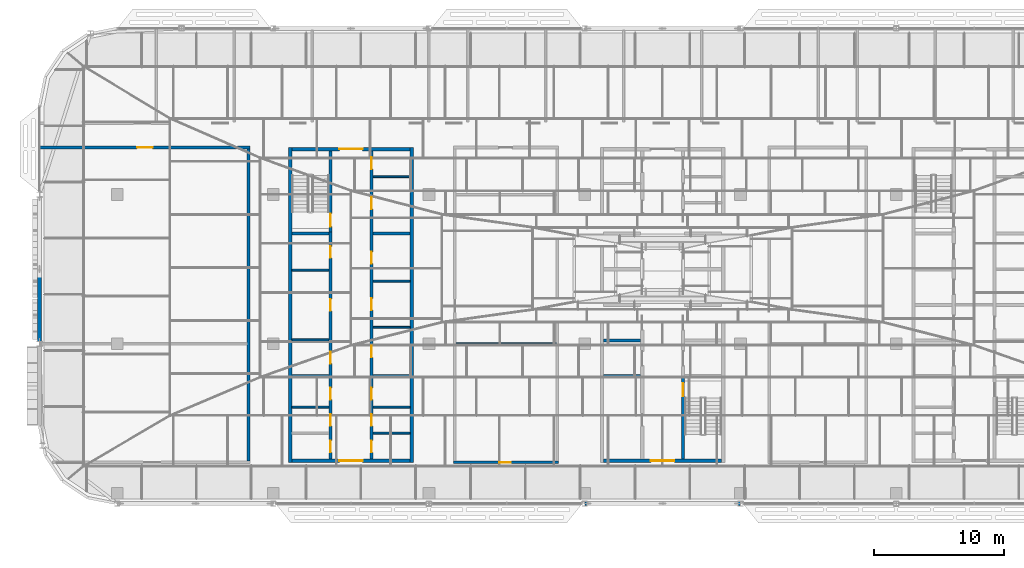
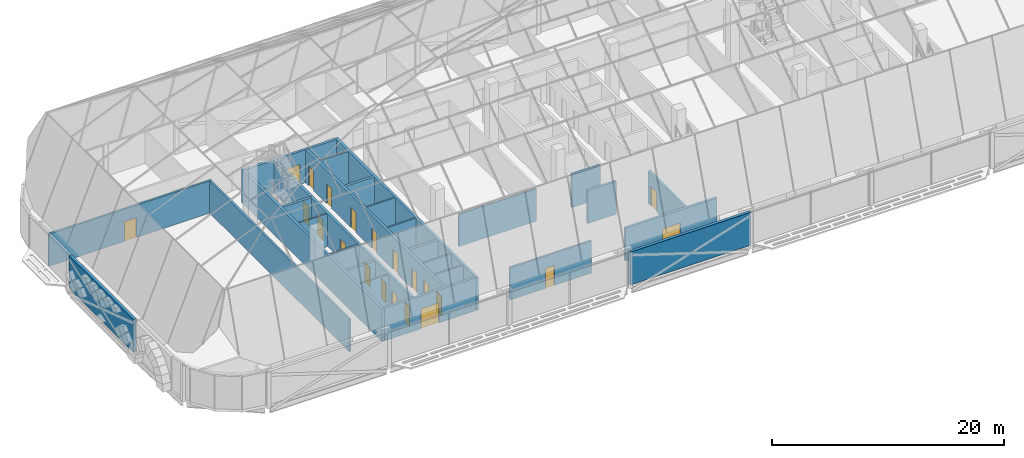
# One storey, part 24 of 39: 29 walls, 21 doors, 21 openings.
"""IFC4 building model written with IfcOpenShell, lengths in metres."""

import ifcopenshell
import ifcopenshell.guid

model = None  # the IFC model being written
_history = None  # IfcOwnerHistory: only IFC2X3 demands one
_inside = {}  # id of a spatial element -> (the spatial element, [elements in it])
_under = {}  # id of a project, library or spatial element -> (it, [spatial elements below it])
_declared = {}  # id of a project -> (the project, [libraries it declares])
_typed = {}  # id of a type object -> (the type object, [elements of that type])
_made_of = {}  # id of a material, layer set ... -> (it, [elements and type objects made of it])


def new_model(schema):
    """Start an empty IFC model of exactly this schema.

    Asked for "IFC4X3", IfcOpenShell would pick the latest addendum, in which some entities
    have other attributes; the version numbers below select the first issue.
    IFC2X3 requires an IfcOwnerHistory on every rooted entity: one is made here for all.
    """
    global model, _history
    if schema == "IFC4X3":
        model = ifcopenshell.file(schema_version=(4, 3, 0, 0))
    else:
        model = ifcopenshell.file(schema=schema)
    _inside.clear()
    _under.clear()
    _declared.clear()
    _typed.clear()
    _made_of.clear()
    _history = None
    if model.schema == "IFC2X3":
        org = make("IfcOrganization", Name="unknown")
        user = make(
            "IfcPersonAndOrganization",
            ThePerson=make("IfcPerson", FamilyName="unknown"),
            TheOrganization=org,
        )
        app = make(
            "IfcApplication",
            ApplicationDeveloper=org,
            Version="unknown",
            ApplicationFullName="unknown",
            ApplicationIdentifier="unknown",
        )
        _history = make(
            "IfcOwnerHistory",
            OwningUser=user,
            OwningApplication=app,
            ChangeAction="ADDED",
            CreationDate=0,
        )
    return model


def make(cls, **values):
    """One entity of the class cls with the attributes given. An attribute that is None is left unset."""
    return model.create_entity(
        cls, **{name: value for name, value in values.items() if value is not None}
    )


def rooted(cls, **values):
    """An entity with a GlobalId (a new one), such as an element, a storey or a relation."""
    return make(cls, GlobalId=ifcopenshell.guid.new(), OwnerHistory=_history, **values)


def si_unit(unit_type, name, prefix=None):
    """IfcSIUnit, for example si_unit("LENGTHUNIT", "METRE", prefix="MILLI")."""
    return make("IfcSIUnit", UnitType=unit_type, Prefix=prefix, Name=name)


def assignment(units):
    """IfcUnitAssignment: the units of a project."""
    return None if units is None else make("IfcUnitAssignment", Units=units)


def point(xyz):
    """IfcCartesianPoint."""
    return None if xyz is None else make("IfcCartesianPoint", Coordinates=xyz)


def direction(xyz):
    """IfcDirection."""
    return None if xyz is None else make("IfcDirection", DirectionRatios=xyz)


def frame(location, z_axis=None, x_axis=None):
    """IfcAxis2Placement3D, a coordinate frame: its origin and axes. An axis left out is left unset."""
    return make(
        "IfcAxis2Placement3D",
        Location=point(location),
        Axis=direction(z_axis),
        RefDirection=direction(x_axis),
    )


def frame_2d(location, x_axis=None):
    """IfcAxis2Placement2D, a coordinate frame in the plane: its origin and x axis."""
    return make(
        "IfcAxis2Placement2D", Location=point(location), RefDirection=direction(x_axis)
    )


def origin():
    """The frame at (0, 0, 0) with its axes left unset."""
    return frame((0.0, 0.0, 0.0))


def place(relative_to, where):
    """IfcLocalPlacement: puts the frame where relative to a parent placement (None: the world)."""
    return make(
        "IfcLocalPlacement", PlacementRelTo=relative_to, RelativePlacement=where
    )


def context(
    kind, dimensions, precision=None, world=None, true_north=None, identifier=None
):
    """IfcGeometricRepresentationContext, for example the 3D "Model" context."""
    return make(
        "IfcGeometricRepresentationContext",
        ContextIdentifier=identifier,
        ContextType=kind,
        CoordinateSpaceDimension=dimensions,
        Precision=precision,
        WorldCoordinateSystem=world,
        TrueNorth=true_north,
    )


def subcontext(parent, identifier, kind, view, scale=None):
    """IfcGeometricRepresentationSubContext, for example "Body" below "Model"."""
    return make(
        "IfcGeometricRepresentationSubContext",
        ContextIdentifier=identifier,
        ContextType=kind,
        ParentContext=parent,
        TargetScale=scale,
        TargetView=view,
    )


def project(units=None, contexts=None):
    """IfcProject with its units and contexts."""
    return rooted(
        "IfcProject",
        Name="project",
        RepresentationContexts=contexts,
        UnitsInContext=assignment(units),
    )


def spatial(cls, under=None, at=None, **own):
    """A site, building, storey or space (cls), placed at a placement, below another one or the project."""
    s = rooted(cls, ObjectPlacement=at, **own)
    if under is not None:
        _under.setdefault(under.id(), (under, []))[1].append(s)
    return s


def profile(cls, at=None, kind="AREA", **sizes):
    """A parametric profile (cls). Its sizes go by their IFC names, for example OverallWidth=200.0."""
    return make(cls, ProfileType=kind, Position=at, **sizes)


def rectangle(**sizes):
    """IfcRectangleProfileDef."""
    return profile("IfcRectangleProfileDef", **sizes)


def extrude(swept, where, along, depth):
    """IfcExtrudedAreaSolid: the profile swept, set in the frame where, extruded along a direction by depth."""
    return make(
        "IfcExtrudedAreaSolid",
        SweptArea=swept,
        Position=where,
        ExtrudedDirection=direction(along),
        Depth=depth,
    )


def shape(context_of_items, identifier, shape_type, items):
    """IfcShapeRepresentation: the items that make up one representation, for example the "Body"."""
    return make(
        "IfcShapeRepresentation",
        ContextOfItems=context_of_items,
        RepresentationIdentifier=identifier,
        RepresentationType=shape_type,
        Items=items,
    )


def material(Name=None, Category=None):
    """IfcMaterial."""
    return make("IfcMaterial", Name=Name, Category=Category)


def layer(
    of_material, thickness, ventilated=None, Name=None, Category=None, Priority=None
):
    """IfcMaterialLayer: one layer of a wall or slab, of a material (None: an air gap)."""
    return make(
        "IfcMaterialLayer",
        Material=of_material,
        LayerThickness=thickness,
        IsVentilated=ventilated,
        Name=Name,
        Category=Category,
        Priority=Priority,
    )


def layer_set(layers, Name=None):
    """IfcMaterialLayerSet."""
    return make("IfcMaterialLayerSet", MaterialLayers=layers, LayerSetName=Name)


def made_of(thing, what):
    """Note that an element or type object is made of a material, layer set ...; save() writes the relation."""
    if what is not None:
        _made_of.setdefault(what.id(), (what, []))[1].append(thing)
    return thing


def type_object(cls, material=None, **own):
    """A type object (cls), such as IfcWallType, which elements share."""
    return made_of(rooted(cls, **own), material)


def element(
    cls,
    number,
    at=None,
    inside=None,
    cuts=None,
    type_object=None,
    material=None,
    context=None,
    identifier="Body",
    shape_type=None,
    held_by="IfcProductDefinitionShape",
    body=None,
    shapes=None,
    **own,
):
    """One element of the class cls, such as IfcWall. Its Tag is "e" and its number.

    at: its placement. inside: the storey or other place that contains it. cuts: it is an
    opening in that element (IfcRelVoidsElement). A single representation is given by context,
    identifier, shape_type and body (its items); several are given by shapes. held_by: the class
    of the entity that holds the representations. save() writes the other relations.
    """
    e = rooted(cls, Tag="e%d" % number, ObjectPlacement=at, **own)
    if body is not None:
        shapes = [shape(context, identifier, shape_type, body)]
    if shapes is not None:
        e.Representation = make(held_by, Representations=shapes)
    if inside is not None:
        _inside.setdefault(inside.id(), (inside, []))[1].append(e)
    if cuts is not None:
        rooted(
            "IfcRelVoidsElement", RelatingBuildingElement=cuts, RelatedOpeningElement=e
        )
    if type_object is not None:
        _typed.setdefault(type_object.id(), (type_object, []))[1].append(e)
    return made_of(e, material)


def fill(opening, filler):
    """IfcRelFillsElement: the door or window that sits in an opening."""
    return rooted(
        "IfcRelFillsElement",
        RelatingOpeningElement=opening,
        RelatedBuildingElement=filler,
    )


def aggregate(whole, parts):
    """IfcRelAggregates: a whole, such as a stair, and the parts it consists of."""
    return rooted("IfcRelAggregates", RelatingObject=whole, RelatedObjects=parts)


def save(model, path):
    """Write the relations noted so far, then the file.

    IfcRelAggregates (storeys below a building ...), IfcRelContainedInSpatialStructure (elements
    in a storey), IfcRelDefinesByType, IfcRelAssociatesMaterial and IfcRelDeclares: one each for
    every whole, place, type object, material and project.
    """
    for whole, parts in _under.values():
        aggregate(whole, parts)
    for where, things in _inside.values():
        rooted(
            "IfcRelContainedInSpatialStructure",
            RelatedElements=things,
            RelatingStructure=where,
        )
    for kind, things in _typed.values():
        rooted("IfcRelDefinesByType", RelatedObjects=things, RelatingType=kind)
    for what, things in _made_of.values():
        rooted("IfcRelAssociatesMaterial", RelatedObjects=things, RelatingMaterial=what)
    for by, libraries in _declared.values():
        rooted("IfcRelDeclares", RelatingContext=by, RelatedDefinitions=libraries)
    model.write(path)


model = new_model("IFC4")

# Units and contexts
model_context = context("Model", 3, precision=1e-05, world=origin(), true_north=direction((0.0, 1.0)))
body_context = subcontext(model_context, "Body", "Model", "MODEL_VIEW")
ifc_project = project(units=[si_unit("LENGTHUNIT", "METRE"), si_unit("AREAUNIT", "SQUARE_METRE"), si_unit("VOLUMEUNIT", "CUBIC_METRE"), si_unit("PLANEANGLEUNIT", "RADIAN"), si_unit("MASSUNIT", "GRAM", prefix="KILO")], contexts=[model_context])

# Site, building, storey
site_placement = place(None, origin())
site = spatial("IfcSite", under=ifc_project, at=site_placement, CompositionType="ELEMENT")
building_placement = place(site_placement, origin())
building = spatial("IfcBuilding", under=site, at=building_placement, Name="Mahtab Terrace Research Tower", CompositionType="ELEMENT")
storey_placement = place(building_placement, frame((0.0, 0.0, 282.300048828125)))
storey = spatial("IfcBuildingStorey", under=building, at=storey_placement, Name="L69", CompositionType="ELEMENT", Elevation=282.300048828125)

# Walls
ifc_material_1 = material(Name="Gypsum board partition")
ifc_layer_1 = layer(ifc_material_1, 0.14990234375)
ifc_layer_set_1 = layer_set([ifc_layer_1], Name="Core partition 150")
wall_type_1 = type_object("IfcWallType", Name="Core partition 150", PredefinedType="PARTITIONING", material=ifc_layer_set_1)
for number, where, z_axis, x_axis, name in (
    (1, (-28.550048828125, 0.3125, 0.0), (0.0, 0.0, 1.0), (1.0, 0.0, 0.0), "Core wall A pWL-269"),
    (2, (-28.550048828125, 5.6875, 0.0), (0.0, 0.0, 1.0), (1.0, 0.0, 0.0), "Core wall A pWL269"),
    (3, (-22.300048828125, 1.280029296875, 0.0), (0.0, 0.0, 1.0), (1.0, 0.0, 0.0), "Core wall A pEL-172"),
    (4, (-22.300048828125, 4.827392578125, 0.0), (0.0, 0.0, 1.0), (1.0, 0.0, 0.0), "Core wall A pEL183"),
    (5, (-28.550048828125, -4.875, 0.0), (0.0, 0.0, 1.0), (1.0, 0.0, 0.0), "Core wall A pWS-788"),
    (6, (-22.300048828125, -6.875, 0.0), (0.0, 0.0, 1.0), (1.0, 0.0, 0.0), "Core wall A pES-988"),
    (7, (-22.300048828125, -4.875, 0.0), (0.0, 0.0, 1.0), (1.0, 0.0, 0.0), "Core wall A pES-788"),
    (8, (-22.300048828125, 12.875, 0.0), (0.0, 0.0, 1.0), (1.0, 0.0, 0.0), "Core wall A pEN988"),
):
    element("IfcWall", number, at=place(storey_placement, frame(where, z_axis=z_axis, x_axis=x_axis)), inside=storey, type_object=wall_type_1, Name=name, PredefinedType="PARTITIONING", context=body_context, shape_type="SweptSolid", body=[
        extrude(rectangle(XDim=2.85009765625, YDim=0.14990234375, at=frame_2d((1.425048828125, 0.0))), origin(), (0.0, 0.0, 1.0), 3.4599609375),
    ])
ifc_material_2 = material(Name="Concrete C70/85", Category="concrete")
ifc_layer_2 = layer(ifc_material_2, 0.25)
ifc_layer_set_2 = layer_set([ifc_layer_2], Name="Core wall 250")
wall_type_2 = type_object("IfcWallType", Name="Core wall 250", PredefinedType="SOLIDWALL", material=ifc_layer_set_2)
for number, where, z_axis, x_axis, name in (
    (9, (-28.675048828125, 15.125, 0.0), (0.0, 0.0, 1.0), (0.0, -1.0, 0.0), "Core wall A outerW"),
    (10, (-19.324951171875, -9.125, 0.0), (0.0, 0.0, 1.0), (0.0, 1.0, 0.0), "Core wall A outerE"),
):
    element("IfcWall", number, at=place(storey_placement, frame(where, z_axis=z_axis, x_axis=x_axis)), inside=storey, type_object=wall_type_2, Name=name, PredefinedType="SOLIDWALL", context=body_context, shape_type="SweptSolid", body=[
        extrude(rectangle(XDim=24.25, YDim=0.25, at=frame_2d((12.125, 0.0))), origin(), (0.0, 0.0, 1.0), 3.4599609375),
    ])

# Wall, opening, door
wall_1_placement = place(storey_placement, frame((-19.449951171875, -9.0, 0.0), z_axis=(0.0, 0.0, 1.0), x_axis=(-1.0, 0.0, 0.0)))
wall_1 = element("IfcWall", 11, at=wall_1_placement, inside=storey, type_object=wall_type_2, Name="Core wall A endS", PredefinedType="SOLIDWALL", context=body_context, shape_type="SweptSolid", body=[
    extrude(rectangle(XDim=9.10009765625, YDim=0.25, at=frame_2d((4.550048828125, 0.0))), origin(), (0.0, 0.0, 1.0), 3.4599609375),
])
opening_1_placement = place(wall_1_placement, frame((3.64990234375, 0.0, 0.0)))
opening_1 = element("IfcOpeningElement", 12, at=opening_1_placement, cuts=wall_1, Name="Opening A-S1", PredefinedType="OPENING", context=body_context, shape_type="SweptSolid", body=[
    extrude(rectangle(XDim=1.800048828125, YDim=2.10009765625, at=frame_2d((0.89990234375, 1.050048828125))), frame((0.0, 0.135009765625, 0.0), z_axis=(0.0, -1.0, 0.0), x_axis=(1.0, 0.0, 0.0)), (0.0, 0.0, 1.0), 0.27001953125),
])
ifc_material_3 = material(Name="Steel fire door", Category="steel")
door_type_1 = type_object("IfcDoorType", Name="Lobby double door 1800x2100 1 HR", OperationType="DOUBLE_DOOR_SINGLE_SWING", PredefinedType="DOOR", material=ifc_material_3)
door_1_placement = place(opening_1_placement, origin())
door_1 = element("IfcDoor", 13, at=door_1_placement, inside=storey, type_object=door_type_1, Name="Core entrance door A S", OperationType="DOUBLE_DOOR_SINGLE_SWING", OverallHeight=2.10009765625, OverallWidth=1.800048828125, PredefinedType="DOOR", context=body_context, shape_type="SweptSolid", body=[
    extrude(rectangle(XDim=1.800048828125, YDim=2.10009765625, at=frame_2d((0.89990234375, 1.050048828125))), frame((0.0, 0.02490234375, 0.0), z_axis=(0.0, -1.0, 0.0), x_axis=(1.0, 0.0, 0.0)), (0.0, 0.0, 1.0), 0.050048828125),
])
fill(opening_1, door_1)

wall_2_placement = place(storey_placement, frame((-28.550048828125, 15.0, 0.0), z_axis=(0.0, 0.0, 1.0), x_axis=(1.0, 0.0, 0.0)))
wall_2 = element("IfcWall", 14, at=wall_2_placement, inside=storey, type_object=wall_type_2, Name="Core wall A endN", PredefinedType="SOLIDWALL", context=body_context, shape_type="SweptSolid", body=[
    extrude(rectangle(XDim=9.10009765625, YDim=0.25, at=frame_2d((4.550048828125, 0.0))), origin(), (0.0, 0.0, 1.0), 3.4599609375),
])
opening_2_placement = place(wall_2_placement, frame((3.64990234375, 0.0, 0.0)))
opening_2 = element("IfcOpeningElement", 15, at=opening_2_placement, cuts=wall_2, Name="Opening A-N1", PredefinedType="OPENING", context=body_context, shape_type="SweptSolid", body=[
    extrude(rectangle(XDim=1.800048828125, YDim=2.10009765625, at=frame_2d((0.89990234375, 1.050048828125))), frame((0.0, 0.135009765625, 0.0), z_axis=(0.0, -1.0, 0.0), x_axis=(1.0, 0.0, 0.0)), (0.0, 0.0, 1.0), 0.27001953125),
])
door_2_placement = place(opening_2_placement, origin())
door_2 = element("IfcDoor", 16, at=door_2_placement, inside=storey, type_object=door_type_1, Name="Core entrance door A N", OperationType="DOUBLE_DOOR_SINGLE_SWING", OverallHeight=2.10009765625, OverallWidth=1.800048828125, PredefinedType="DOOR", context=body_context, shape_type="SweptSolid", body=[
    extrude(rectangle(XDim=1.800048828125, YDim=2.10009765625, at=frame_2d((0.89990234375, 1.050048828125))), frame((0.0, 0.02490234375, 0.0), z_axis=(0.0, -1.0, 0.0), x_axis=(1.0, 0.0, 0.0)), (0.0, 0.0, 1.0), 0.050048828125),
])
fill(opening_2, door_2)

# Wall, openings, doors
wall_3_placement = place(storey_placement, frame((-25.574951171875, -8.875, 0.0), z_axis=(0.0, 0.0, 1.0), x_axis=(0.0, 1.0, 0.0)))
wall_3 = element("IfcWall", 17, at=wall_3_placement, inside=storey, type_object=wall_type_2, Name="Core wall A innerWSL", PredefinedType="SOLIDWALL", context=body_context, shape_type="SweptSolid", body=[
    extrude(rectangle(XDim=17.5, YDim=0.25, at=frame_2d((8.75, 0.0))), origin(), (0.0, 0.0, 1.0), 3.4599609375),
])
opening_3_placement = place(wall_3_placement, frame((7.356201171875, 0.0, 0.0)))
opening_3 = element("IfcOpeningElement", 18, at=opening_3_placement, cuts=wall_3, Name="Opening A-R1", PredefinedType="OPENING", context=body_context, shape_type="SweptSolid", body=[
    extrude(rectangle(XDim=0.89990234375, YDim=2.10009765625, at=frame_2d((0.449951171875, 1.050048828125))), frame((0.0, 0.135009765625, 0.0), z_axis=(0.0, -1.0, 0.0), x_axis=(1.0, 0.0, 0.0)), (0.0, 0.0, 1.0), 0.27001953125),
])
opening_4_placement = place(wall_3_placement, frame((11.425048828125, 0.0, 0.0)))
opening_4 = element("IfcOpeningElement", 19, at=opening_4_placement, cuts=wall_3, Name="Opening A-R2", PredefinedType="OPENING", context=body_context, shape_type="SweptSolid", body=[
    extrude(rectangle(XDim=0.89990234375, YDim=2.10009765625, at=frame_2d((0.449951171875, 1.050048828125))), frame((0.0, 0.135009765625, 0.0), z_axis=(0.0, -1.0, 0.0), x_axis=(1.0, 0.0, 0.0)), (0.0, 0.0, 1.0), 0.27001953125),
])
opening_5_placement = place(wall_3_placement, frame((15.493896484375, 0.0, 0.0)))
opening_5 = element("IfcOpeningElement", 20, at=opening_5_placement, cuts=wall_3, Name="Opening A-R3", PredefinedType="OPENING", context=body_context, shape_type="SweptSolid", body=[
    extrude(rectangle(XDim=0.89990234375, YDim=2.10009765625, at=frame_2d((0.449951171875, 1.050048828125))), frame((0.0, 0.135009765625, 0.0), z_axis=(0.0, -1.0, 0.0), x_axis=(1.0, 0.0, 0.0)), (0.0, 0.0, 1.0), 0.27001953125),
])
opening_6_placement = place(wall_3_placement, frame((0.512451171875, 0.0, 0.0)))
opening_6 = element("IfcOpeningElement", 21, at=opening_6_placement, cuts=wall_3, Name="Opening A-R7", PredefinedType="OPENING", context=body_context, shape_type="SweptSolid", body=[
    extrude(rectangle(XDim=0.89990234375, YDim=2.10009765625, at=frame_2d((0.449951171875, 1.050048828125))), frame((0.0, 0.135009765625, 0.0), z_axis=(0.0, -1.0, 0.0), x_axis=(1.0, 0.0, 0.0)), (0.0, 0.0, 1.0), 0.27001953125),
])
opening_7_placement = place(wall_3_placement, frame((2.550048828125, 0.0, 0.0)))
opening_7 = element("IfcOpeningElement", 22, at=opening_7_placement, cuts=wall_3, Name="Opening A-R8", PredefinedType="OPENING", context=body_context, shape_type="SweptSolid", body=[
    extrude(rectangle(XDim=0.89990234375, YDim=2.10009765625, at=frame_2d((0.449951171875, 1.050048828125))), frame((0.0, 0.135009765625, 0.0), z_axis=(0.0, -1.0, 0.0), x_axis=(1.0, 0.0, 0.0)), (0.0, 0.0, 1.0), 0.27001953125),
])
opening_8_placement = place(wall_3_placement, frame((4.58740234375, 0.0, 0.0)))
opening_8 = element("IfcOpeningElement", 23, at=opening_8_placement, cuts=wall_3, Name="Opening A-R9", PredefinedType="OPENING", context=body_context, shape_type="SweptSolid", body=[
    extrude(rectangle(XDim=0.89990234375, YDim=2.10009765625, at=frame_2d((0.449951171875, 1.050048828125))), frame((0.0, 0.135009765625, 0.0), z_axis=(0.0, -1.0, 0.0), x_axis=(1.0, 0.0, 0.0)), (0.0, 0.0, 1.0), 0.27001953125),
])
door_type_2 = type_object("IfcDoorType", Name="Room door 900x2100 1 HR", OperationType="NOTDEFINED", PredefinedType="DOOR", material=ifc_material_3)
door_3_placement = place(opening_3_placement, origin())
door_3 = element("IfcDoor", 24, at=door_3_placement, inside=storey, type_object=door_type_2, Name="Comms room door", OperationType="SINGLE_SWING_LEFT", OverallHeight=2.10009765625, OverallWidth=0.89990234375, PredefinedType="DOOR", context=body_context, shape_type="SweptSolid", body=[
    extrude(rectangle(XDim=0.89990234375, YDim=2.10009765625, at=frame_2d((0.449951171875, 1.050048828125))), frame((0.0, 0.02490234375, 0.0), z_axis=(0.0, -1.0, 0.0), x_axis=(1.0, 0.0, 0.0)), (0.0, 0.0, 1.0), 0.050048828125),
])
fill(opening_3, door_3)
door_4_placement = place(opening_4_placement, origin())
door_4 = element("IfcDoor", 25, at=door_4_placement, inside=storey, type_object=door_type_2, Name="Meeting alcove door", OperationType="SINGLE_SWING_RIGHT", OverallHeight=2.10009765625, OverallWidth=0.89990234375, PredefinedType="DOOR", context=body_context, shape_type="SweptSolid", body=[
    extrude(rectangle(XDim=0.89990234375, YDim=2.10009765625, at=frame_2d((0.449951171875, 1.050048828125))), frame((0.0, 0.02490234375, 0.0), z_axis=(0.0, -1.0, 0.0), x_axis=(1.0, 0.0, 0.0)), (0.0, 0.0, 1.0), 0.050048828125),
])
fill(opening_4, door_4)
door_5_placement = place(opening_5_placement, origin())
door_5 = element("IfcDoor", 26, at=door_5_placement, inside=storey, type_object=door_type_2, Name="Linen store door", OperationType="SINGLE_SWING_LEFT", OverallHeight=2.10009765625, OverallWidth=0.89990234375, PredefinedType="DOOR", context=body_context, shape_type="SweptSolid", body=[
    extrude(rectangle(XDim=0.89990234375, YDim=2.10009765625, at=frame_2d((0.449951171875, 1.050048828125))), frame((0.0, 0.02490234375, 0.0), z_axis=(0.0, -1.0, 0.0), x_axis=(1.0, 0.0, 0.0)), (0.0, 0.0, 1.0), 0.050048828125),
])
fill(opening_5, door_5)
door_6_placement = place(opening_6_placement, origin())
door_6 = element("IfcDoor", 27, at=door_6_placement, inside=storey, type_object=door_type_2, Name="Male WC door", OperationType="SINGLE_SWING_LEFT", OverallHeight=2.10009765625, OverallWidth=0.89990234375, PredefinedType="DOOR", context=body_context, shape_type="SweptSolid", body=[
    extrude(rectangle(XDim=0.89990234375, YDim=2.10009765625, at=frame_2d((0.449951171875, 1.050048828125))), frame((0.0, 0.02490234375, 0.0), z_axis=(0.0, -1.0, 0.0), x_axis=(1.0, 0.0, 0.0)), (0.0, 0.0, 1.0), 0.050048828125),
])
fill(opening_6, door_6)
door_7_placement = place(opening_7_placement, origin())
door_7 = element("IfcDoor", 28, at=door_7_placement, inside=storey, type_object=door_type_2, Name="Female WC door", OperationType="SINGLE_SWING_RIGHT", OverallHeight=2.10009765625, OverallWidth=0.89990234375, PredefinedType="DOOR", context=body_context, shape_type="SweptSolid", body=[
    extrude(rectangle(XDim=0.89990234375, YDim=2.10009765625, at=frame_2d((0.449951171875, 1.050048828125))), frame((0.0, 0.02490234375, 0.0), z_axis=(0.0, -1.0, 0.0), x_axis=(1.0, 0.0, 0.0)), (0.0, 0.0, 1.0), 0.050048828125),
])
fill(opening_7, door_7)
door_8_placement = place(opening_8_placement, origin())
door_8 = element("IfcDoor", 29, at=door_8_placement, inside=storey, type_object=door_type_2, Name="Accessible WC door", OperationType="SINGLE_SWING_LEFT", OverallHeight=2.10009765625, OverallWidth=0.89990234375, PredefinedType="DOOR", context=body_context, shape_type="SweptSolid", body=[
    extrude(rectangle(XDim=0.89990234375, YDim=2.10009765625, at=frame_2d((0.449951171875, 1.050048828125))), frame((0.0, 0.02490234375, 0.0), z_axis=(0.0, -1.0, 0.0), x_axis=(1.0, 0.0, 0.0)), (0.0, 0.0, 1.0), 0.050048828125),
])
fill(opening_8, door_8)

# Wall, opening, door
wall_4_placement = place(storey_placement, frame((-25.574951171875, 14.875, 0.0), z_axis=(0.0, 0.0, 1.0), x_axis=(0.0, -1.0, 0.0)))
wall_4 = element("IfcWall", 30, at=wall_4_placement, inside=storey, type_object=wall_type_2, Name="Core wall A innerWN", PredefinedType="SOLIDWALL", context=body_context, shape_type="SweptSolid", body=[
    extrude(rectangle(XDim=6.25, YDim=0.25, at=frame_2d((3.125, 0.0))), origin(), (0.0, 0.0, 1.0), 3.4599609375),
])
opening_9_placement = place(wall_4_placement, frame((4.85009765625, 0.0, 0.0)))
opening_9 = element("IfcOpeningElement", 31, at=opening_9_placement, cuts=wall_4, Name="Opening A-ST1", PredefinedType="OPENING", context=body_context, shape_type="SweptSolid", body=[
    extrude(rectangle(XDim=1.0, YDim=2.10009765625, at=frame_2d((0.5, 1.050048828125))), frame((0.0, 0.135009765625, 0.0), z_axis=(0.0, -1.0, 0.0), x_axis=(1.0, 0.0, 0.0)), (0.0, 0.0, 1.0), 0.27001953125),
])
door_type_3 = type_object("IfcDoorType", Name="Stair door 1000x2100 1.5 HR", OperationType="NOTDEFINED", PredefinedType="DOOR", material=ifc_material_3)
door_9_placement = place(opening_9_placement, origin())
door_9 = element("IfcDoor", 32, at=door_9_placement, inside=storey, type_object=door_type_3, Name="Stair door ST1 L69", OperationType="SINGLE_SWING_LEFT", OverallHeight=2.10009765625, OverallWidth=1.0, PredefinedType="DOOR", context=body_context, shape_type="SweptSolid", body=[
    extrude(rectangle(XDim=1.0, YDim=2.10009765625, at=frame_2d((0.5, 1.050048828125))), frame((0.0, 0.02490234375, 0.0), z_axis=(0.0, -1.0, 0.0), x_axis=(1.0, 0.0, 0.0)), (0.0, 0.0, 1.0), 0.050048828125),
])
fill(opening_9, door_9)

# Wall, openings, doors
wall_5_placement = place(storey_placement, frame((-22.425048828125, 14.875, 0.0), z_axis=(0.0, 0.0, 1.0), x_axis=(0.0, -1.0, 0.0)))
wall_5 = element("IfcWall", 33, at=wall_5_placement, inside=storey, type_object=wall_type_2, Name="Core wall A innerESLN", PredefinedType="SOLIDWALL", context=body_context, shape_type="SweptSolid", body=[
    extrude(rectangle(XDim=23.75, YDim=0.25, at=frame_2d((11.875, 0.0))), origin(), (0.0, 0.0, 1.0), 3.4599609375),
])
opening_10_placement = place(wall_5_placement, frame((15.010009765625, 0.0, 0.0)))
opening_10 = element("IfcOpeningElement", 34, at=opening_10_placement, cuts=wall_5, Name="Opening A-R4", PredefinedType="OPENING", context=body_context, shape_type="SweptSolid", body=[
    extrude(rectangle(XDim=0.89990234375, YDim=2.10009765625, at=frame_2d((0.449951171875, 1.050048828125))), frame((0.0, 0.135009765625, 0.0), z_axis=(0.0, -1.0, 0.0), x_axis=(1.0, 0.0, 0.0)), (0.0, 0.0, 1.0), 0.27001953125),
])
opening_11_placement = place(wall_5_placement, frame((11.37109375, 0.0, 0.0)))
opening_11 = element("IfcOpeningElement", 35, at=opening_11_placement, cuts=wall_5, Name="Opening A-R5", PredefinedType="OPENING", context=body_context, shape_type="SweptSolid", body=[
    extrude(rectangle(XDim=0.89990234375, YDim=2.10009765625, at=frame_2d((0.449951171875, 1.050048828125))), frame((0.0, 0.135009765625, 0.0), z_axis=(0.0, -1.0, 0.0), x_axis=(1.0, 0.0, 0.0)), (0.0, 0.0, 1.0), 0.27001953125),
])
opening_12_placement = place(wall_5_placement, frame((7.7861328125, 0.0, 0.0)))
opening_12 = element("IfcOpeningElement", 36, at=opening_12_placement, cuts=wall_5, Name="Opening A-R6", PredefinedType="OPENING", context=body_context, shape_type="SweptSolid", body=[
    extrude(rectangle(XDim=0.89990234375, YDim=2.10009765625, at=frame_2d((0.449951171875, 1.050048828125))), frame((0.0, 0.135009765625, 0.0), z_axis=(0.0, -1.0, 0.0), x_axis=(1.0, 0.0, 0.0)), (0.0, 0.0, 1.0), 0.27001953125),
])
opening_13_placement = place(wall_5_placement, frame((22.33740234375, 0.0, 0.0)))
opening_13 = element("IfcOpeningElement", 37, at=opening_13_placement, cuts=wall_5, Name="Opening A-R10", PredefinedType="OPENING", context=body_context, shape_type="SweptSolid", body=[
    extrude(rectangle(XDim=0.89990234375, YDim=2.10009765625, at=frame_2d((0.449951171875, 1.050048828125))), frame((0.0, 0.135009765625, 0.0), z_axis=(0.0, -1.0, 0.0), x_axis=(1.0, 0.0, 0.0)), (0.0, 0.0, 1.0), 0.27001953125),
])
opening_14_placement = place(wall_5_placement, frame((20.300048828125, 0.0, 0.0)))
opening_14 = element("IfcOpeningElement", 38, at=opening_14_placement, cuts=wall_5, Name="Opening A-R11", PredefinedType="OPENING", context=body_context, shape_type="SweptSolid", body=[
    extrude(rectangle(XDim=0.89990234375, YDim=2.10009765625, at=frame_2d((0.449951171875, 1.050048828125))), frame((0.0, 0.135009765625, 0.0), z_axis=(0.0, -1.0, 0.0), x_axis=(1.0, 0.0, 0.0)), (0.0, 0.0, 1.0), 0.27001953125),
])
opening_15_placement = place(wall_5_placement, frame((18.262451171875, 0.0, 0.0)))
opening_15 = element("IfcOpeningElement", 39, at=opening_15_placement, cuts=wall_5, Name="Opening A-R12", PredefinedType="OPENING", context=body_context, shape_type="SweptSolid", body=[
    extrude(rectangle(XDim=0.89990234375, YDim=2.10009765625, at=frame_2d((0.449951171875, 1.050048828125))), frame((0.0, 0.135009765625, 0.0), z_axis=(0.0, -1.0, 0.0), x_axis=(1.0, 0.0, 0.0)), (0.0, 0.0, 1.0), 0.27001953125),
])
opening_16_placement = place(wall_5_placement, frame((3.58740234375, 0.0, 0.0)))
opening_16 = element("IfcOpeningElement", 40, at=opening_16_placement, cuts=wall_5, Name="Opening A-R13", PredefinedType="OPENING", context=body_context, shape_type="SweptSolid", body=[
    extrude(rectangle(XDim=0.89990234375, YDim=2.10009765625, at=frame_2d((0.449951171875, 1.050048828125))), frame((0.0, 0.135009765625, 0.0), z_axis=(0.0, -1.0, 0.0), x_axis=(1.0, 0.0, 0.0)), (0.0, 0.0, 1.0), 0.27001953125),
])
opening_17_placement = place(wall_5_placement, frame((0.512451171875, 0.0, 0.0)))
opening_17 = element("IfcOpeningElement", 41, at=opening_17_placement, cuts=wall_5, Name="Opening A-R14", PredefinedType="OPENING", context=body_context, shape_type="SweptSolid", body=[
    extrude(rectangle(XDim=0.89990234375, YDim=2.10009765625, at=frame_2d((0.449951171875, 1.050048828125))), frame((0.0, 0.135009765625, 0.0), z_axis=(0.0, -1.0, 0.0), x_axis=(1.0, 0.0, 0.0)), (0.0, 0.0, 1.0), 0.27001953125),
])
door_10_placement = place(opening_10_placement, origin())
door_10 = element("IfcDoor", 42, at=door_10_placement, inside=storey, type_object=door_type_2, Name="Battery room door", OperationType="SINGLE_SWING_RIGHT", OverallHeight=2.10009765625, OverallWidth=0.89990234375, PredefinedType="DOOR", context=body_context, shape_type="SweptSolid", body=[
    extrude(rectangle(XDim=0.89990234375, YDim=2.10009765625, at=frame_2d((0.449951171875, 1.050048828125))), frame((0.0, 0.02490234375, 0.0), z_axis=(0.0, -1.0, 0.0), x_axis=(1.0, 0.0, 0.0)), (0.0, 0.0, 1.0), 0.050048828125),
])
fill(opening_10, door_10)
door_11_placement = place(opening_11_placement, origin())
door_11 = element("IfcDoor", 43, at=door_11_placement, inside=storey, type_object=door_type_2, Name="Cooling plant room door", OperationType="SINGLE_SWING_LEFT", OverallHeight=2.10009765625, OverallWidth=0.89990234375, PredefinedType="DOOR", context=body_context, shape_type="SweptSolid", body=[
    extrude(rectangle(XDim=0.89990234375, YDim=2.10009765625, at=frame_2d((0.449951171875, 1.050048828125))), frame((0.0, 0.02490234375, 0.0), z_axis=(0.0, -1.0, 0.0), x_axis=(1.0, 0.0, 0.0)), (0.0, 0.0, 1.0), 0.050048828125),
])
fill(opening_11, door_11)
door_12_placement = place(opening_12_placement, origin())
door_12 = element("IfcDoor", 44, at=door_12_placement, inside=storey, type_object=door_type_2, Name="Spare parts store door", OperationType="SINGLE_SWING_RIGHT", OverallHeight=2.10009765625, OverallWidth=0.89990234375, PredefinedType="DOOR", context=body_context, shape_type="SweptSolid", body=[
    extrude(rectangle(XDim=0.89990234375, YDim=2.10009765625, at=frame_2d((0.449951171875, 1.050048828125))), frame((0.0, 0.02490234375, 0.0), z_axis=(0.0, -1.0, 0.0), x_axis=(1.0, 0.0, 0.0)), (0.0, 0.0, 1.0), 0.050048828125),
])
fill(opening_12, door_12)
door_13_placement = place(opening_13_placement, origin())
door_13 = element("IfcDoor", 45, at=door_13_placement, inside=storey, type_object=door_type_2, Name="Comms riser room door", OperationType="SINGLE_SWING_RIGHT", OverallHeight=2.10009765625, OverallWidth=0.89990234375, PredefinedType="DOOR", context=body_context, shape_type="SweptSolid", body=[
    extrude(rectangle(XDim=0.89990234375, YDim=2.10009765625, at=frame_2d((0.449951171875, 1.050048828125))), frame((0.0, 0.02490234375, 0.0), z_axis=(0.0, -1.0, 0.0), x_axis=(1.0, 0.0, 0.0)), (0.0, 0.0, 1.0), 0.050048828125),
])
fill(opening_13, door_13)
door_14_placement = place(opening_14_placement, origin())
door_14 = element("IfcDoor", 46, at=door_14_placement, inside=storey, type_object=door_type_2, Name="Pantry door", OperationType="SINGLE_SWING_LEFT", OverallHeight=2.10009765625, OverallWidth=0.89990234375, PredefinedType="DOOR", context=body_context, shape_type="SweptSolid", body=[
    extrude(rectangle(XDim=0.89990234375, YDim=2.10009765625, at=frame_2d((0.449951171875, 1.050048828125))), frame((0.0, 0.02490234375, 0.0), z_axis=(0.0, -1.0, 0.0), x_axis=(1.0, 0.0, 0.0)), (0.0, 0.0, 1.0), 0.050048828125),
])
fill(opening_14, door_14)
door_15_placement = place(opening_15_placement, origin())
door_15 = element("IfcDoor", 47, at=door_15_placement, inside=storey, type_object=door_type_2, Name="Cleaners store door", OperationType="SINGLE_SWING_RIGHT", OverallHeight=2.10009765625, OverallWidth=0.89990234375, PredefinedType="DOOR", context=body_context, shape_type="SweptSolid", body=[
    extrude(rectangle(XDim=0.89990234375, YDim=2.10009765625, at=frame_2d((0.449951171875, 1.050048828125))), frame((0.0, 0.02490234375, 0.0), z_axis=(0.0, -1.0, 0.0), x_axis=(1.0, 0.0, 0.0)), (0.0, 0.0, 1.0), 0.050048828125),
])
fill(opening_15, door_15)
door_16_placement = place(opening_16_placement, origin())
door_16 = element("IfcDoor", 48, at=door_16_placement, inside=storey, type_object=door_type_2, Name="IT equipment room door", OperationType="SINGLE_SWING_LEFT", OverallHeight=2.10009765625, OverallWidth=0.89990234375, PredefinedType="DOOR", context=body_context, shape_type="SweptSolid", body=[
    extrude(rectangle(XDim=0.89990234375, YDim=2.10009765625, at=frame_2d((0.449951171875, 1.050048828125))), frame((0.0, 0.02490234375, 0.0), z_axis=(0.0, -1.0, 0.0), x_axis=(1.0, 0.0, 0.0)), (0.0, 0.0, 1.0), 0.050048828125),
])
fill(opening_16, door_16)
door_17_placement = place(opening_17_placement, origin())
door_17 = element("IfcDoor", 49, at=door_17_placement, inside=storey, type_object=door_type_2, Name="Electrical riser room door", OperationType="SINGLE_SWING_RIGHT", OverallHeight=2.10009765625, OverallWidth=0.89990234375, PredefinedType="DOOR", context=body_context, shape_type="SweptSolid", body=[
    extrude(rectangle(XDim=0.89990234375, YDim=2.10009765625, at=frame_2d((0.449951171875, 1.050048828125))), frame((0.0, 0.02490234375, 0.0), z_axis=(0.0, -1.0, 0.0), x_axis=(1.0, 0.0, 0.0)), (0.0, 0.0, 1.0), 0.050048828125),
])
fill(opening_17, door_17)

# Walls
for number, where, z_axis, x_axis, name in (
    (50, (-28.550048828125, -2.5, 0.0), (0.0, 0.0, 1.0), (1.0, 0.0, 0.0), "Core wall A divW0"),
    (51, (-28.550048828125, 8.5, 0.0), (0.0, 0.0, 1.0), (1.0, 0.0, 0.0), "Core wall A divW4"),
    (52, (-22.300048828125, -2.5, 0.0), (0.0, 0.0, 1.0), (1.0, 0.0, 0.0), "Core wall A divE0"),
    (53, (-22.300048828125, 8.5, 0.0), (0.0, 0.0, 1.0), (1.0, 0.0, 0.0), "Core wall A divE4"),
):
    element("IfcWall", number, at=place(storey_placement, frame(where, z_axis=z_axis, x_axis=x_axis)), inside=storey, type_object=wall_type_2, Name=name, PredefinedType="SOLIDWALL", context=body_context, shape_type="SweptSolid", body=[
        extrude(rectangle(XDim=2.85009765625, YDim=0.25, at=frame_2d((1.425048828125, 0.0))), origin(), (0.0, 0.0, 1.0), 3.4599609375),
    ])

# Wall, opening, door
wall_6_placement = place(storey_placement, frame((4.550048828125, -9.0, 0.0), z_axis=(0.0, 0.0, 1.0), x_axis=(-1.0, 0.0, 0.0)))
wall_6 = element("IfcWall", 54, at=wall_6_placement, inside=storey, type_object=wall_type_2, Name="Core wall B endS", PredefinedType="SOLIDWALL", context=body_context, shape_type="SweptSolid", body=[
    extrude(rectangle(XDim=9.10009765625, YDim=0.25, at=frame_2d((4.550048828125, 0.0))), origin(), (0.0, 0.0, 1.0), 3.4599609375),
])
opening_18_placement = place(wall_6_placement, frame((3.64990234375, 0.0, 0.0)))
opening_18 = element("IfcOpeningElement", 55, at=opening_18_placement, cuts=wall_6, Name="Opening B-S1", PredefinedType="OPENING", context=body_context, shape_type="SweptSolid", body=[
    extrude(rectangle(XDim=1.800048828125, YDim=2.10009765625, at=frame_2d((0.89990234375, 1.050048828125))), frame((0.0, 0.135009765625, 0.0), z_axis=(0.0, -1.0, 0.0), x_axis=(1.0, 0.0, 0.0)), (0.0, 0.0, 1.0), 0.27001953125),
])
door_18_placement = place(opening_18_placement, origin())
door_18 = element("IfcDoor", 56, at=door_18_placement, inside=storey, type_object=door_type_1, Name="Core entrance door B S", OperationType="DOUBLE_DOOR_SINGLE_SWING", OverallHeight=2.10009765625, OverallWidth=1.800048828125, PredefinedType="DOOR", context=body_context, shape_type="SweptSolid", body=[
    extrude(rectangle(XDim=1.800048828125, YDim=2.10009765625, at=frame_2d((0.89990234375, 1.050048828125))), frame((0.0, 0.02490234375, 0.0), z_axis=(0.0, -1.0, 0.0), x_axis=(1.0, 0.0, 0.0)), (0.0, 0.0, 1.0), 0.050048828125),
])
fill(opening_18, door_18)

wall_7_placement = place(storey_placement, frame((1.574951171875, -8.875, 0.0), z_axis=(0.0, 0.0, 1.0), x_axis=(0.0, 1.0, 0.0)))
wall_7 = element("IfcWall", 57, at=wall_7_placement, inside=storey, type_object=wall_type_2, Name="Core wall B innerES", PredefinedType="SOLIDWALL", context=body_context, shape_type="SweptSolid", body=[
    extrude(rectangle(XDim=6.25, YDim=0.25, at=frame_2d((3.125, 0.0))), origin(), (0.0, 0.0, 1.0), 3.4599609375),
])
opening_19_placement = place(wall_7_placement, frame((4.85009765625, 0.0, 0.0)))
opening_19 = element("IfcOpeningElement", 58, at=opening_19_placement, cuts=wall_7, Name="Opening B-ST2", PredefinedType="OPENING", context=body_context, shape_type="SweptSolid", body=[
    extrude(rectangle(XDim=1.0, YDim=2.10009765625, at=frame_2d((0.5, 1.050048828125))), frame((0.0, 0.135009765625, 0.0), z_axis=(0.0, -1.0, 0.0), x_axis=(1.0, 0.0, 0.0)), (0.0, 0.0, 1.0), 0.27001953125),
])
door_19_placement = place(opening_19_placement, origin())
door_19 = element("IfcDoor", 59, at=door_19_placement, inside=storey, type_object=door_type_3, Name="Stair door ST2 L69", OperationType="SINGLE_SWING_LEFT", OverallHeight=2.10009765625, OverallWidth=1.0, PredefinedType="DOOR", context=body_context, shape_type="SweptSolid", body=[
    extrude(rectangle(XDim=1.0, YDim=2.10009765625, at=frame_2d((0.5, 1.050048828125))), frame((0.0, 0.02490234375, 0.0), z_axis=(0.0, -1.0, 0.0), x_axis=(1.0, 0.0, 0.0)), (0.0, 0.0, 1.0), 0.050048828125),
])
fill(opening_19, door_19)

# Walls
for number, where, z_axis, x_axis, name in (
    (60, (-4.550048828125, -2.5, 0.0), (0.0, 0.0, 1.0), (1.0, 0.0, 0.0), "Core wall B divW0"),
    (61, (-4.550048828125, 0.25, 0.0), (0.0, 0.0, 1.0), (1.0, 0.0, 0.0), "Core wall B divW1"),
):
    element("IfcWall", number, at=place(storey_placement, frame(where, z_axis=z_axis, x_axis=x_axis)), inside=storey, type_object=wall_type_2, Name=name, PredefinedType="SOLIDWALL", context=body_context, shape_type="SweptSolid", body=[
        extrude(rectangle(XDim=2.85009765625, YDim=0.25, at=frame_2d((1.425048828125, 0.0))), origin(), (0.0, 0.0, 1.0), 3.4599609375),
    ])
ifc_material_4 = material(Name="Black aluminium cladding panel", Category="aluminium")
ifc_layer_3 = layer(ifc_material_4, 0.300048828125)
ifc_layer_set_3 = layer_set([ifc_layer_3], Name="Opaque facade wall 300")
wall_type_3 = type_object("IfcWallType", Name="Opaque facade wall 300", PredefinedType="NOTDEFINED", material=ifc_layer_set_3)
wall_8_placement = place(storey_placement, frame((-48.0, 11.31201171875, 0.0), z_axis=(0.0, 0.0, 1.0), x_axis=(0.0, -1.0, 0.0)))
element("IfcWall", 62, at=wall_8_placement, inside=storey, type_object=wall_type_3, Name="Opaque facade wall L69 W16", PredefinedType="NOTDEFINED", context=body_context, shape_type="SweptSolid", body=[
    extrude(rectangle(XDim=11.1240234375, YDim=0.300048828125, at=frame_2d((5.56201171875, 0.0))), origin(), (0.0, 0.0, 1.0), 3.4599609375),
])
wall_9_placement = place(storey_placement, frame((-5.991455078125, -12.306884765625, 0.0), z_axis=(0.0, 0.0, 1.0), x_axis=(1.0, 0.0, 0.0)))
element("IfcWall", 63, at=wall_9_placement, inside=storey, type_object=wall_type_3, Name="Opaque facade wall L69 S26", PredefinedType="NOTDEFINED", context=body_context, shape_type="SweptSolid", body=[
    extrude(rectangle(XDim=11.98291015625, YDim=0.300048828125, at=frame_2d((5.991455078125, 0.0))), origin(), (0.0, 0.0, 1.0), 3.4599609375),
])

# Wall, opening, door
ifc_material_5 = material(Name="Gypsum board corridor wall on steel studs", Category="steel")
ifc_layer_4 = layer(ifc_material_5, 0.199951171875)
ifc_layer_set_4 = layer_set([ifc_layer_4], Name="WALL CORRIDOR 200")
wall_type_4 = type_object("IfcWallType", Name="WALL CORRIDOR 200", PredefinedType="PARTITIONING", material=ifc_layer_set_4)
wall_10_placement = place(storey_placement, frame((-16.10009765625, -9.125, 0.0), z_axis=(0.0, 0.0, 1.0), x_axis=(1.0, 0.0, 0.0)))
wall_10 = element("IfcWall", 64, at=wall_10_placement, inside=storey, type_object=wall_type_4, Name="L69-W002", PredefinedType="PARTITIONING", context=body_context, shape_type="SweptSolid", body=[
    extrude(rectangle(XDim=8.10009765625, YDim=0.199951171875, at=frame_2d((4.050048828125, 0.0))), origin(), (0.0, 0.0, 1.0), 3.39990234375),
])
opening_20_placement = place(wall_10_placement, frame((3.5, 0.0, 0.0)))
opening_20 = element("IfcOpeningElement", 65, at=opening_20_placement, cuts=wall_10, Name="Opening L69-102", PredefinedType="OPENING", context=body_context, shape_type="SweptSolid", body=[
    extrude(rectangle(XDim=0.89990234375, YDim=2.10009765625, at=frame_2d((0.449951171875, 1.050048828125))), frame((0.0, 0.10986328125, 0.0), z_axis=(0.0, -1.0, 0.0), x_axis=(1.0, 0.0, 0.0)), (0.0, 0.0, 1.0), 0.219970703125),
])
ifc_material_6 = material(Name="Timber door leaf in steel frame", Category="steel")
door_type_4 = type_object("IfcDoorType", Name="DOOR 0900X2100 FD30S", OperationType="SINGLE_SWING_LEFT", PredefinedType="DOOR", material=ifc_material_6)
door_20_placement = place(opening_20_placement, origin())
door_20 = element("IfcDoor", 66, at=door_20_placement, inside=storey, type_object=door_type_4, Name="Door L69-102", OperationType="SINGLE_SWING_LEFT", OverallHeight=2.10009765625, OverallWidth=0.89990234375, PredefinedType="DOOR", context=body_context, shape_type="SweptSolid", body=[
    extrude(rectangle(XDim=0.89990234375, YDim=2.10009765625, at=frame_2d((0.449951171875, 1.050048828125))), frame((0.0, 0.02490234375, 0.0), z_axis=(0.0, -1.0, 0.0), x_axis=(1.0, 0.0, 0.0)), (0.0, 0.0, 1.0), 0.050048828125),
])
fill(opening_20, door_20)

wall_11_placement = place(storey_placement, frame((-47.97509765625, 15.125, 0.0), z_axis=(0.0, 0.0, 1.0), x_axis=(1.0, 0.0, 0.0)))
wall_11 = element("IfcWall", 67, at=wall_11_placement, inside=storey, type_object=wall_type_4, Name="L69-W014", PredefinedType="PARTITIONING", context=body_context, shape_type="SweptSolid", body=[
    extrude(rectangle(XDim=16.175048828125, YDim=0.199951171875, at=frame_2d((8.08740234375, 0.0))), origin(), (0.0, 0.0, 1.0), 3.39990234375),
])
opening_21_placement = place(wall_11_placement, frame((7.5, 0.0, 0.0)))
opening_21 = element("IfcOpeningElement", 68, at=opening_21_placement, cuts=wall_11, Name="Opening L69-107", PredefinedType="OPENING", context=body_context, shape_type="SweptSolid", body=[
    extrude(rectangle(XDim=1.199951171875, YDim=2.10009765625, at=frame_2d((0.60009765625, 1.050048828125))), frame((0.0, 0.10986328125, 0.0), z_axis=(0.0, -1.0, 0.0), x_axis=(1.0, 0.0, 0.0)), (0.0, 0.0, 1.0), 0.219970703125),
])
door_type_5 = type_object("IfcDoorType", Name="DOOR 1200X2100 FD30S", OperationType="SINGLE_SWING_LEFT", PredefinedType="DOOR", material=ifc_material_6)
door_21_placement = place(opening_21_placement, origin())
door_21 = element("IfcDoor", 69, at=door_21_placement, inside=storey, type_object=door_type_5, Name="Door L69-107", OperationType="SINGLE_SWING_LEFT", OverallHeight=2.10009765625, OverallWidth=1.199951171875, PredefinedType="DOOR", context=body_context, shape_type="SweptSolid", body=[
    extrude(rectangle(XDim=1.199951171875, YDim=2.10009765625, at=frame_2d((0.60009765625, 1.050048828125))), frame((0.0, 0.02490234375, 0.0), z_axis=(0.0, -1.0, 0.0), x_axis=(1.0, 0.0, 0.0)), (0.0, 0.0, 1.0), 0.050048828125),
])
fill(opening_21, door_21)

# Walls
wall_12_placement = place(storey_placement, frame((-31.89990234375, -9.02490234375, 0.0), z_axis=(0.0, 0.0, 1.0), x_axis=(0.0, 1.0, 0.0)))
element("IfcWall", 70, at=wall_12_placement, inside=storey, type_object=wall_type_4, Name="L69-W021", PredefinedType="PARTITIONING", context=body_context, shape_type="SweptSolid", body=[
    extrude(rectangle(XDim=24.0498046875, YDim=0.199951171875, at=frame_2d((12.02490234375, 0.0))), origin(), (0.0, 0.0, 1.0), 3.39990234375),
])
ifc_material_7 = material(Name="Gypsum board partition on steel studs", Category="steel")
ifc_layer_5 = layer(ifc_material_7, 0.14990234375)
ifc_layer_set_5 = layer_set([ifc_layer_5], Name="WALL PARTITION 150")
wall_type_5 = type_object("IfcWallType", Name="WALL PARTITION 150", PredefinedType="PARTITIONING", material=ifc_layer_set_5)
wall_13_placement = place(storey_placement, frame((-15.89990234375, 0.0, 0.0), z_axis=(0.0, 0.0, 1.0), x_axis=(1.0, 0.0, 0.0)))
element("IfcWall", 71, at=wall_13_placement, inside=storey, type_object=wall_type_5, Name="L69-W007", PredefinedType="PARTITIONING", context=body_context, shape_type="SweptSolid", body=[
    extrude(rectangle(XDim=7.699951171875, YDim=0.14990234375, at=frame_2d((3.85009765625, 0.0))), origin(), (0.0, 0.0, 1.0), 3.39990234375),
])

save(model, "model.ifc")
